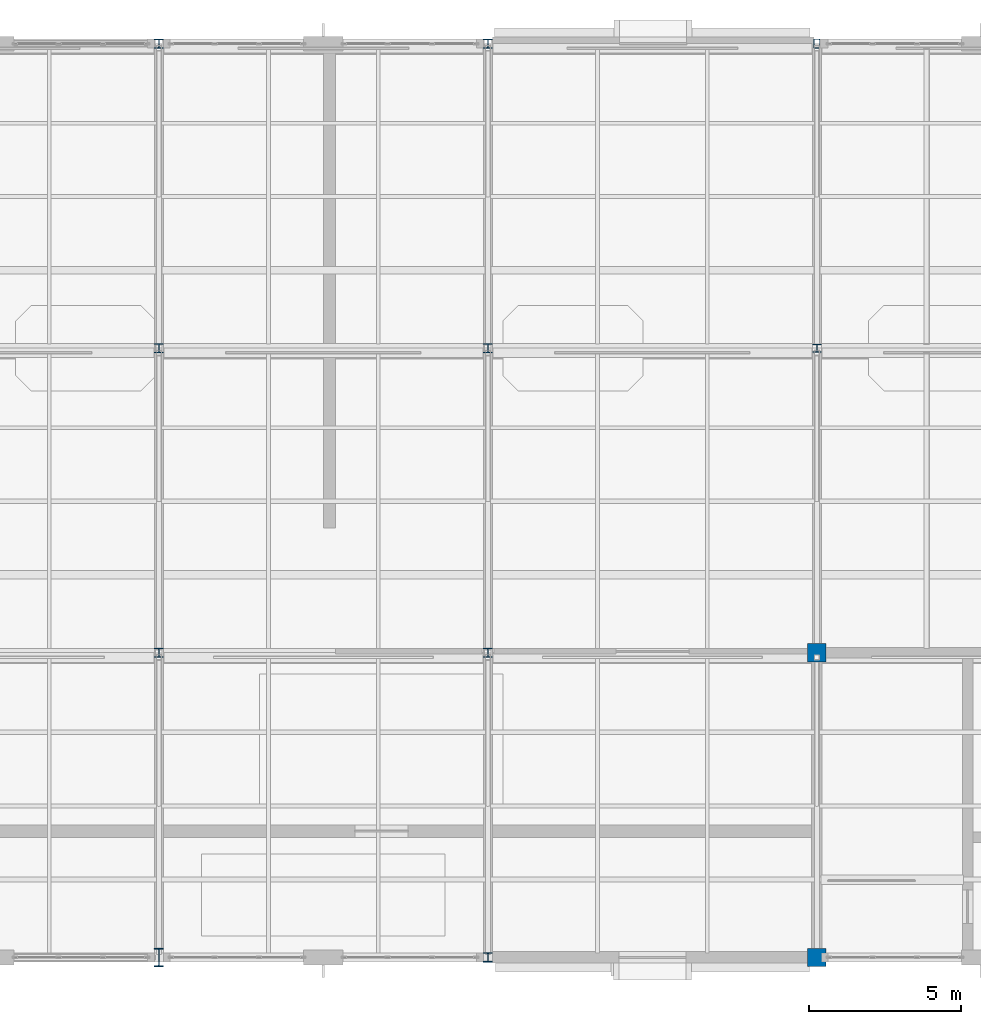
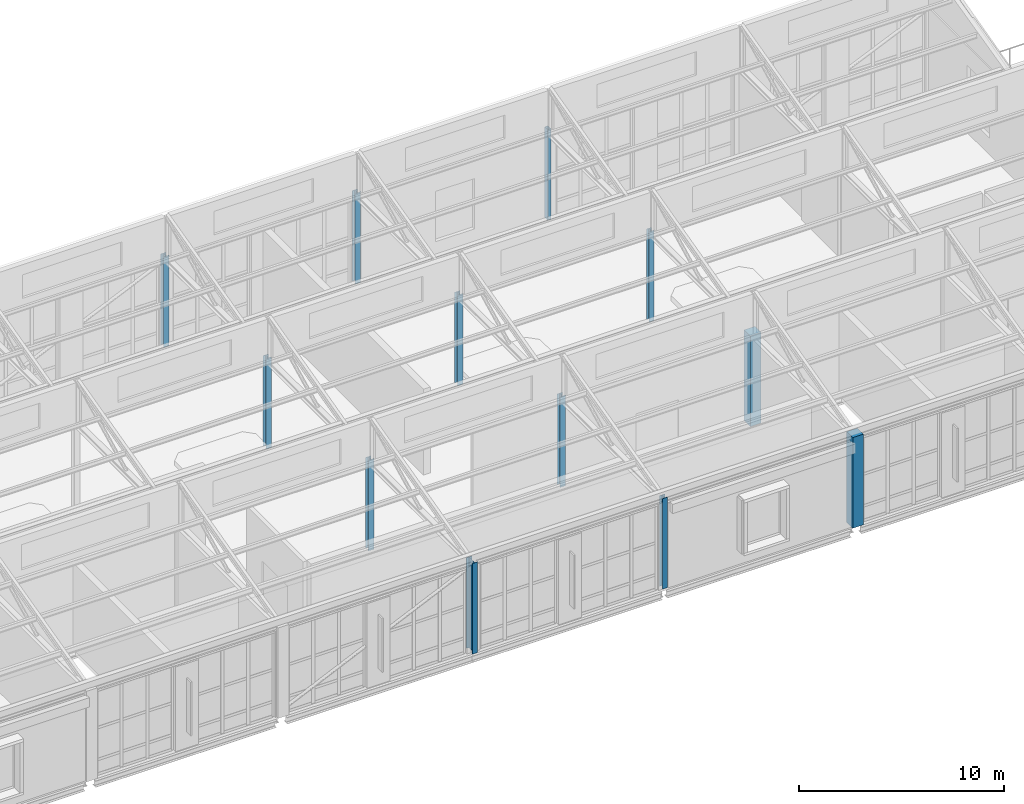
# One storey, part 2 of 49: 12 columns.
"""IFC4 building model written with IfcOpenShell, lengths in metres."""

import ifcopenshell
import ifcopenshell.guid

model = None  # the IFC model being written
_history = None  # IfcOwnerHistory: only IFC2X3 demands one
_inside = {}  # id of a spatial element -> (the spatial element, [elements in it])
_under = {}  # id of a project, library or spatial element -> (it, [spatial elements below it])
_declared = {}  # id of a project -> (the project, [libraries it declares])
_typed = {}  # id of a type object -> (the type object, [elements of that type])
_made_of = {}  # id of a material, layer set ... -> (it, [elements and type objects made of it])


def new_model(schema):
    """Start an empty IFC model of exactly this schema.

    Asked for "IFC4X3", IfcOpenShell would pick the latest addendum, in which some entities
    have other attributes; the version numbers below select the first issue.
    IFC2X3 requires an IfcOwnerHistory on every rooted entity: one is made here for all.
    """
    global model, _history
    if schema == "IFC4X3":
        model = ifcopenshell.file(schema_version=(4, 3, 0, 0))
    else:
        model = ifcopenshell.file(schema=schema)
    _inside.clear()
    _under.clear()
    _declared.clear()
    _typed.clear()
    _made_of.clear()
    _history = None
    if model.schema == "IFC2X3":
        org = make("IfcOrganization", Name="unknown")
        user = make(
            "IfcPersonAndOrganization",
            ThePerson=make("IfcPerson", FamilyName="unknown"),
            TheOrganization=org,
        )
        app = make(
            "IfcApplication",
            ApplicationDeveloper=org,
            Version="unknown",
            ApplicationFullName="unknown",
            ApplicationIdentifier="unknown",
        )
        _history = make(
            "IfcOwnerHistory",
            OwningUser=user,
            OwningApplication=app,
            ChangeAction="ADDED",
            CreationDate=0,
        )
    return model


def make(cls, **values):
    """One entity of the class cls with the attributes given. An attribute that is None is left unset."""
    return model.create_entity(
        cls, **{name: value for name, value in values.items() if value is not None}
    )


def rooted(cls, **values):
    """An entity with a GlobalId (a new one), such as an element, a storey or a relation."""
    return make(cls, GlobalId=ifcopenshell.guid.new(), OwnerHistory=_history, **values)


def si_unit(unit_type, name, prefix=None):
    """IfcSIUnit, for example si_unit("LENGTHUNIT", "METRE", prefix="MILLI")."""
    return make("IfcSIUnit", UnitType=unit_type, Prefix=prefix, Name=name)


def assignment(units):
    """IfcUnitAssignment: the units of a project."""
    return None if units is None else make("IfcUnitAssignment", Units=units)


def point(xyz):
    """IfcCartesianPoint."""
    return None if xyz is None else make("IfcCartesianPoint", Coordinates=xyz)


def direction(xyz):
    """IfcDirection."""
    return None if xyz is None else make("IfcDirection", DirectionRatios=xyz)


def frame(location, z_axis=None, x_axis=None):
    """IfcAxis2Placement3D, a coordinate frame: its origin and axes. An axis left out is left unset."""
    return make(
        "IfcAxis2Placement3D",
        Location=point(location),
        Axis=direction(z_axis),
        RefDirection=direction(x_axis),
    )


def frame_2d(location, x_axis=None):
    """IfcAxis2Placement2D, a coordinate frame in the plane: its origin and x axis."""
    return make(
        "IfcAxis2Placement2D", Location=point(location), RefDirection=direction(x_axis)
    )


def origin():
    """The frame at (0, 0, 0) with its axes left unset."""
    return frame((0.0, 0.0, 0.0))


def origin_2d():
    """The frame at (0, 0) in the plane with its x axis left unset."""
    return frame_2d((0.0, 0.0))


def place(relative_to, where):
    """IfcLocalPlacement: puts the frame where relative to a parent placement (None: the world)."""
    return make(
        "IfcLocalPlacement", PlacementRelTo=relative_to, RelativePlacement=where
    )


def context(
    kind, dimensions, precision=None, world=None, true_north=None, identifier=None
):
    """IfcGeometricRepresentationContext, for example the 3D "Model" context."""
    return make(
        "IfcGeometricRepresentationContext",
        ContextIdentifier=identifier,
        ContextType=kind,
        CoordinateSpaceDimension=dimensions,
        Precision=precision,
        WorldCoordinateSystem=world,
        TrueNorth=true_north,
    )


def subcontext(parent, identifier, kind, view, scale=None):
    """IfcGeometricRepresentationSubContext, for example "Body" below "Model"."""
    return make(
        "IfcGeometricRepresentationSubContext",
        ContextIdentifier=identifier,
        ContextType=kind,
        ParentContext=parent,
        TargetScale=scale,
        TargetView=view,
    )


def project(units=None, contexts=None):
    """IfcProject with its units and contexts."""
    return rooted(
        "IfcProject",
        Name="project",
        RepresentationContexts=contexts,
        UnitsInContext=assignment(units),
    )


def spatial(cls, under=None, at=None, **own):
    """A site, building, storey or space (cls), placed at a placement, below another one or the project."""
    s = rooted(cls, ObjectPlacement=at, **own)
    if under is not None:
        _under.setdefault(under.id(), (under, []))[1].append(s)
    return s


def profile(cls, at=None, kind="AREA", **sizes):
    """A parametric profile (cls). Its sizes go by their IFC names, for example OverallWidth=200.0."""
    return make(cls, ProfileType=kind, Position=at, **sizes)


def rectangle(**sizes):
    """IfcRectangleProfileDef."""
    return profile("IfcRectangleProfileDef", **sizes)


def hollow_rectangle(**sizes):
    """IfcRectangleHollowProfileDef."""
    return profile("IfcRectangleHollowProfileDef", **sizes)


def i_section(**sizes):
    """IfcIShapeProfileDef."""
    return profile("IfcIShapeProfileDef", **sizes)


def extrude(swept, where, along, depth):
    """IfcExtrudedAreaSolid: the profile swept, set in the frame where, extruded along a direction by depth."""
    return make(
        "IfcExtrudedAreaSolid",
        SweptArea=swept,
        Position=where,
        ExtrudedDirection=direction(along),
        Depth=depth,
    )


def shape(context_of_items, identifier, shape_type, items):
    """IfcShapeRepresentation: the items that make up one representation, for example the "Body"."""
    return make(
        "IfcShapeRepresentation",
        ContextOfItems=context_of_items,
        RepresentationIdentifier=identifier,
        RepresentationType=shape_type,
        Items=items,
    )


def material(Name=None, Category=None):
    """IfcMaterial."""
    return make("IfcMaterial", Name=Name, Category=Category)


def material_profile(
    of_material, cross_section, Name=None, Category=None, Priority=None
):
    """IfcMaterialProfile: a cross section and its material."""
    return make(
        "IfcMaterialProfile",
        Name=Name,
        Material=of_material,
        Profile=cross_section,
        Priority=Priority,
        Category=Category,
    )


def profile_set(profiles, Name=None, composite=None):
    """IfcMaterialProfileSet."""
    return make(
        "IfcMaterialProfileSet",
        Name=Name,
        MaterialProfiles=profiles,
        CompositeProfile=composite,
    )


def made_of(thing, what):
    """Note that an element or type object is made of a material, layer set ...; save() writes the relation."""
    if what is not None:
        _made_of.setdefault(what.id(), (what, []))[1].append(thing)
    return thing


def type_object(cls, material=None, **own):
    """A type object (cls), such as IfcWallType, which elements share."""
    return made_of(rooted(cls, **own), material)


def element(
    cls,
    number,
    at=None,
    inside=None,
    cuts=None,
    type_object=None,
    material=None,
    context=None,
    identifier="Body",
    shape_type=None,
    held_by="IfcProductDefinitionShape",
    body=None,
    shapes=None,
    **own,
):
    """One element of the class cls, such as IfcWall. Its Tag is "e" and its number.

    at: its placement. inside: the storey or other place that contains it. cuts: it is an
    opening in that element (IfcRelVoidsElement). A single representation is given by context,
    identifier, shape_type and body (its items); several are given by shapes. held_by: the class
    of the entity that holds the representations. save() writes the other relations.
    """
    e = rooted(cls, Tag="e%d" % number, ObjectPlacement=at, **own)
    if body is not None:
        shapes = [shape(context, identifier, shape_type, body)]
    if shapes is not None:
        e.Representation = make(held_by, Representations=shapes)
    if inside is not None:
        _inside.setdefault(inside.id(), (inside, []))[1].append(e)
    if cuts is not None:
        rooted(
            "IfcRelVoidsElement", RelatingBuildingElement=cuts, RelatedOpeningElement=e
        )
    if type_object is not None:
        _typed.setdefault(type_object.id(), (type_object, []))[1].append(e)
    return made_of(e, material)


def aggregate(whole, parts):
    """IfcRelAggregates: a whole, such as a stair, and the parts it consists of."""
    return rooted("IfcRelAggregates", RelatingObject=whole, RelatedObjects=parts)


def save(model, path):
    """Write the relations noted so far, then the file.

    IfcRelAggregates (storeys below a building ...), IfcRelContainedInSpatialStructure (elements
    in a storey), IfcRelDefinesByType, IfcRelAssociatesMaterial and IfcRelDeclares: one each for
    every whole, place, type object, material and project.
    """
    for whole, parts in _under.values():
        aggregate(whole, parts)
    for where, things in _inside.values():
        rooted(
            "IfcRelContainedInSpatialStructure",
            RelatedElements=things,
            RelatingStructure=where,
        )
    for kind, things in _typed.values():
        rooted("IfcRelDefinesByType", RelatedObjects=things, RelatingType=kind)
    for what, things in _made_of.values():
        rooted("IfcRelAssociatesMaterial", RelatedObjects=things, RelatingMaterial=what)
    for by, libraries in _declared.values():
        rooted("IfcRelDeclares", RelatingContext=by, RelatedDefinitions=libraries)
    model.write(path)


model = new_model("IFC4")

# Units and contexts
model_context = context("Model", 3, precision=1e-05, world=origin(), true_north=direction((0.0, 1.0)))
body_context = subcontext(model_context, "Body", "Model", "MODEL_VIEW")
ifc_project = project(units=[si_unit("LENGTHUNIT", "METRE"), si_unit("AREAUNIT", "SQUARE_METRE"), si_unit("VOLUMEUNIT", "CUBIC_METRE"), si_unit("PLANEANGLEUNIT", "RADIAN"), si_unit("MASSUNIT", "GRAM", prefix="KILO")], contexts=[model_context])

# Site, building, storey
site_placement = place(None, origin())
site = spatial("IfcSite", under=ifc_project, at=site_placement, CompositionType="ELEMENT")
building_placement = place(site_placement, origin())
building = spatial("IfcBuilding", under=site, at=building_placement, Name="Tasgan Crest Museum", CompositionType="ELEMENT")
storey_placement = place(building_placement, frame((0.0, 0.0, 28.800048828125)))
storey = spatial("IfcBuildingStorey", under=building, at=storey_placement, Name="L05", CompositionType="ELEMENT", Elevation=28.800048828125)

# Columns
ifc_material_1 = material(Name="Steel S355J2", Category="steel")
ifc_material_profile_1 = material_profile(ifc_material_1, i_section(OverallWidth=0.280029296875, OverallDepth=0.27001953125, WebThickness=0.008056640625, FlangeThickness=0.012939453125, FilletRadius=0.02392578125, at=origin_2d()), Name="HEA 280")
ifc_profile_set_1 = profile_set([ifc_material_profile_1], Name="Steel S355J2")
column_type_1 = type_object("IfcColumnType", Name="COL-HEA280", PredefinedType="COLUMN", material=ifc_profile_set_1)
column_1_placement = place(storey_placement, frame((54.0, 102.0, 0.0), z_axis=(0.0, 0.0, 1.0), x_axis=(1.0, 0.0, 0.0)))
element("IfcColumn", 1, at=column_1_placement, inside=storey, type_object=column_type_1, Name="Column 6/L L05", PredefinedType="COLUMN", context=body_context, shape_type="SweptSolid", body=[
    extrude(i_section(OverallWidth=0.280029296875, OverallDepth=0.27001953125, WebThickness=0.008056640625, FlangeThickness=0.012939453125, FilletRadius=0.02392578125, at=origin_2d()), origin(), (0.0, 0.0, 1.0), 5.39990234375),
])
ifc_material_2 = material(Name="Steel S355J2", Category="steel")
ifc_material_profile_2 = material_profile(ifc_material_2, i_section(OverallWidth=0.300048828125, OverallDepth=0.300048828125, WebThickness=0.010986328125, FlangeThickness=0.01904296875, FilletRadius=0.027099609375, at=origin_2d()), Name="HEB 300")
ifc_profile_set_2 = profile_set([ifc_material_profile_2], Name="Steel S355J2")
column_type_2 = type_object("IfcColumnType", Name="COL-HEB300", PredefinedType="COLUMN", material=ifc_profile_set_2)
for number, where, z_axis, x_axis, name in (
    (2, (32.39990234375, 92.0, 0.0), (0.0, 0.0, 1.0), (1.0, 0.0, 0.0), "Column 4/K L05"),
    (3, (32.39990234375, 102.0, 0.0), (0.0, 0.0, 1.0), (1.0, 0.0, 0.0), "Column 4/L L05"),
    (4, (32.39990234375, 112.0, 0.0), (0.0, 0.0, 1.0), (1.0, 0.0, 0.0), "Column 4/M L05"),
    (5, (43.199951171875, 82.0, 0.0), (0.0, 0.0, 1.0), (1.0, 0.0, 0.0), "Column 5/J L05"),
    (6, (43.199951171875, 92.0, 0.0), (0.0, 0.0, 1.0), (1.0, 0.0, 0.0), "Column 5/K L05"),
    (7, (43.199951171875, 102.0, 0.0), (0.0, 0.0, 1.0), (1.0, 0.0, 0.0), "Column 5/L L05"),
    (8, (43.199951171875, 112.0, 0.0), (0.0, 0.0, 1.0), (1.0, 0.0, 0.0), "Column 5/M L05"),
):
    element("IfcColumn", number, at=place(storey_placement, frame(where, z_axis=z_axis, x_axis=x_axis)), inside=storey, type_object=column_type_2, Name=name, PredefinedType="COLUMN", context=body_context, shape_type="SweptSolid", body=[
        extrude(i_section(OverallWidth=0.300048828125, OverallDepth=0.300048828125, WebThickness=0.010986328125, FlangeThickness=0.01904296875, FilletRadius=0.027099609375, at=origin_2d()), origin(), (0.0, 0.0, 1.0), 5.39990234375),
    ])
ifc_material_3 = material(Name="Steel S355K2", Category="steel")
ifc_material_profile_3 = material_profile(ifc_material_3, i_section(OverallWidth=0.300048828125, OverallDepth=0.60009765625, WebThickness=0.015380859375, FlangeThickness=0.030029296875, FilletRadius=0.027099609375, at=origin_2d()), Name="HEB 600")
ifc_profile_set_3 = profile_set([ifc_material_profile_3], Name="Steel S355K2")
column_type_3 = type_object("IfcColumnType", Name="COL-HEB600", PredefinedType="COLUMN", material=ifc_profile_set_3)
column_2_placement = place(storey_placement, frame((32.39990234375, 82.0, 0.0), z_axis=(0.0, 0.0, 1.0), x_axis=(1.0, 0.0, 0.0)))
element("IfcColumn", 9, at=column_2_placement, inside=storey, type_object=column_type_3, Name="Column 4/J L05", PredefinedType="COLUMN", context=body_context, shape_type="SweptSolid", body=[
    extrude(i_section(OverallWidth=0.300048828125, OverallDepth=0.60009765625, WebThickness=0.015380859375, FlangeThickness=0.030029296875, FilletRadius=0.027099609375, at=origin_2d()), origin(), (0.0, 0.0, 1.0), 5.39990234375),
])
ifc_material_4 = material(Name="Concrete C40/50", Category="concrete")
ifc_material_profile_4 = material_profile(ifc_material_4, rectangle(XDim=0.60009765625, YDim=0.60009765625, at=origin_2d()), Name="RC 600x600")
ifc_profile_set_4 = profile_set([ifc_material_profile_4], Name="Concrete C40/50")
column_type_4 = type_object("IfcColumnType", Name="COL-RC600", PredefinedType="COLUMN", material=ifc_profile_set_4)
for number, where, z_axis, x_axis, name in (
    (10, (54.0, 82.0, 0.0), (0.0, 0.0, 1.0), (1.0, 0.0, 0.0), "Column 6/J L05"),
    (11, (54.0, 92.0, 0.0), (0.0, 0.0, 1.0), (1.0, 0.0, 0.0), "Column 6/K L05"),
):
    element("IfcColumn", number, at=place(storey_placement, frame(where, z_axis=z_axis, x_axis=x_axis)), inside=storey, type_object=column_type_4, Name=name, PredefinedType="COLUMN", context=body_context, shape_type="SweptSolid", body=[
        extrude(rectangle(XDim=0.60009765625, YDim=0.60009765625, at=origin_2d()), origin(), (0.0, 0.0, 1.0), 5.39990234375),
    ])
ifc_material_5 = material(Name="Steel S355K2", Category="steel")
ifc_material_profile_5 = material_profile(ifc_material_5, hollow_rectangle(XDim=0.199951171875, YDim=0.300048828125, WallThickness=0.012451171875, InnerFilletRadius=0.012451171875, OuterFilletRadius=0.02490234375, at=origin_2d()), Name="RHS 300x200x12.5")
ifc_profile_set_5 = profile_set([ifc_material_profile_5], Name="Steel S355K2")
column_type_5 = type_object("IfcColumnType", Name="COL-RHS300", PredefinedType="COLUMN", material=ifc_profile_set_5)
column_3_placement = place(storey_placement, frame((54.0, 112.0, 0.0), z_axis=(0.0, 0.0, 1.0), x_axis=(1.0, 0.0, 0.0)))
element("IfcColumn", 12, at=column_3_placement, inside=storey, type_object=column_type_5, Name="Column 6/M L05", PredefinedType="COLUMN", context=body_context, shape_type="SweptSolid", body=[
    extrude(hollow_rectangle(XDim=0.199951171875, YDim=0.300048828125, WallThickness=0.012451171875, InnerFilletRadius=0.012451171875, OuterFilletRadius=0.02490234375, at=origin_2d()), origin(), (0.0, 0.0, 1.0), 5.39990234375),
])

save(model, "model.ifc")
